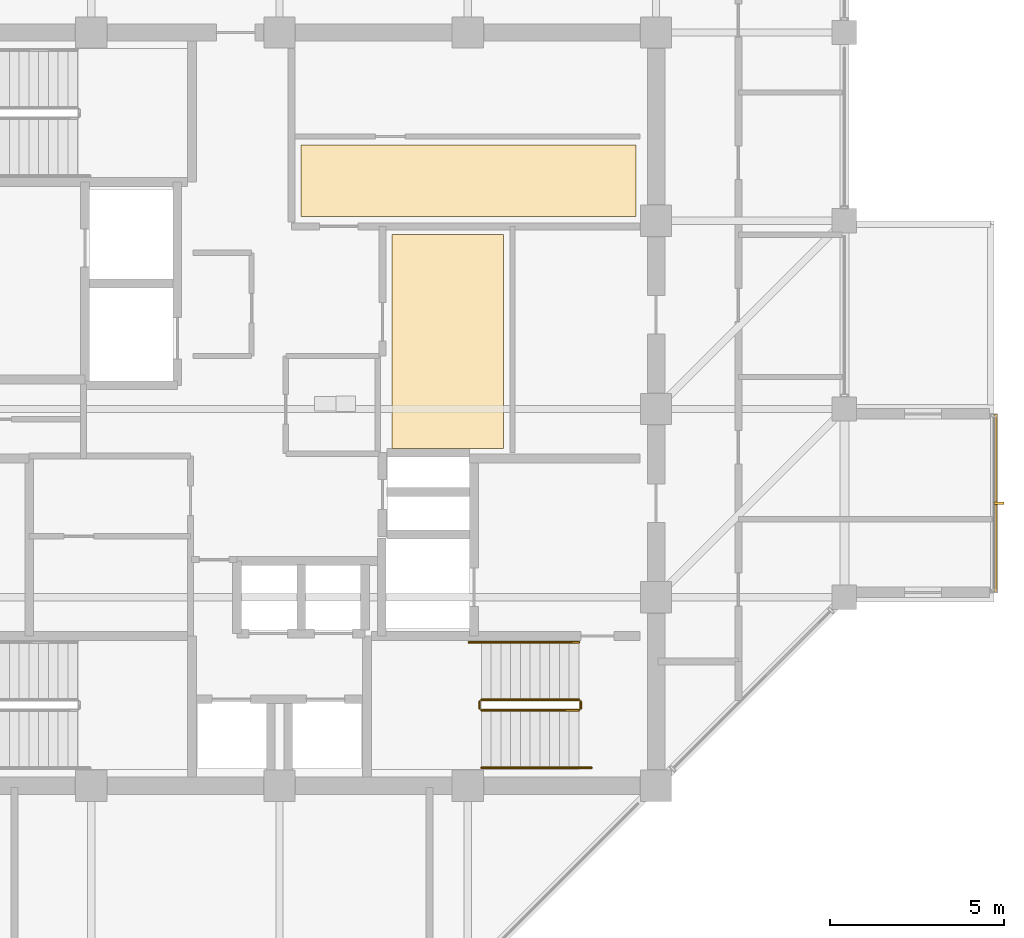
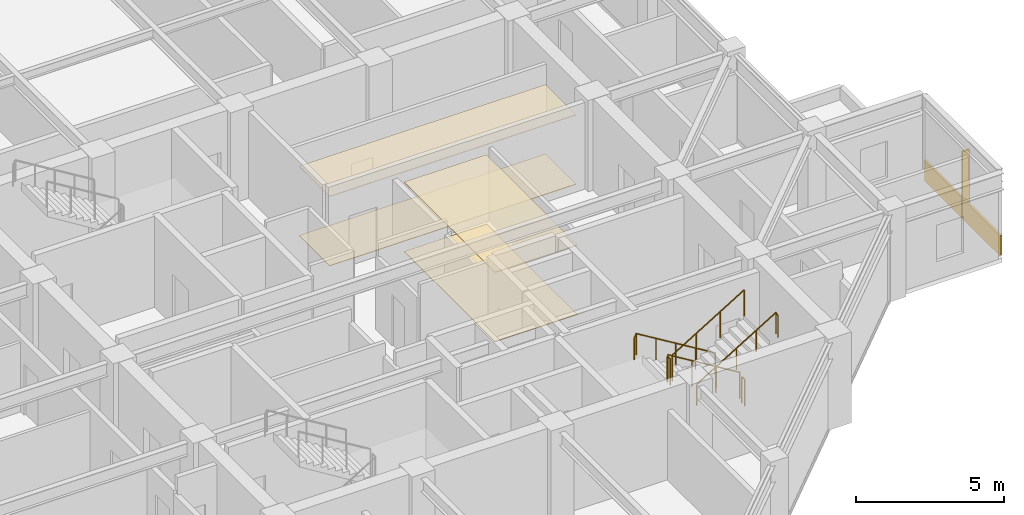
# One storey, part 30 of 31: 6 railings, 5 coverings, 1 shading device.
"""IFC4 building model written with IfcOpenShell, lengths in metres."""

from ifc_helpers import new_model, si_unit, direction, frame, origin, origin_2d, place, context, subcontext, project, spatial, polyline, rectangle, circle, outline, extrude, material, layer, layer_set, type_object, element, save


model = new_model("IFC4")

# Units and contexts
model_context = context("Model", 3, precision=1e-05, world=origin(), true_north=direction((0.0, 1.0)))
body_context = subcontext(model_context, "Body", "Model", "MODEL_VIEW")
ifc_project = project(units=[si_unit("LENGTHUNIT", "METRE"), si_unit("AREAUNIT", "SQUARE_METRE"), si_unit("VOLUMEUNIT", "CUBIC_METRE"), si_unit("PLANEANGLEUNIT", "RADIAN"), si_unit("MASSUNIT", "GRAM", prefix="KILO")], contexts=[model_context])

# Site, building, storey
site_placement = place(None, origin())
site = spatial("IfcSite", under=ifc_project, at=site_placement, CompositionType="ELEMENT")
building_placement = place(site_placement, origin())
building = spatial("IfcBuilding", under=site, at=building_placement, Name="Surkhivell Harbour Commons", CompositionType="ELEMENT")
storey_placement = place(building_placement, frame((0.0, 0.0, 315.0)))
storey = spatial("IfcBuildingStorey", under=building, at=storey_placement, Name="L82", CompositionType="ELEMENT", Elevation=315.0)

# Coverings
ifc_material_1 = material(Name="Perforated acoustic mineral-fibre ceiling tile", Category="other")
ifc_layer_1 = layer(ifc_material_1, 0.02490234375)
ifc_layer_set_1 = layer_set([ifc_layer_1], Name="Perforated acoustic mineral-fibre ceiling tile")
covering_type_1 = type_object("IfcCoveringType", Name="COV-CEIL-AC", PredefinedType="CEILING", material=ifc_layer_set_1)
covering_1_placement = place(storey_placement, frame((0.0, 0.0, 2.85205078125)))
element("IfcCovering", 1, at=covering_1_placement, inside=storey, type_object=covering_type_1, Name="L82 Suspended Acoustic Ceiling 1", PredefinedType="CEILING", context=body_context, shape_type="SweptSolid", body=[
    extrude(outline(polyline([(0.6201171875, 5.52001953125), (10.219970703125, 5.52001953125), (10.219970703125, 7.580078125), (0.6201171875, 7.580078125), (0.6201171875, 5.52001953125)])), origin(), (0.0, 0.0, 1.0), 0.02490234375),
])
ifc_material_2 = material(Name="Moisture-resistant gypsum acoustic ceiling board", Category="other")
ifc_layer_2 = layer(ifc_material_2, 0.030029296875)
ifc_layer_set_2 = layer_set([ifc_layer_2], Name="Moisture-resistant gypsum acoustic ceiling board")
covering_type_2 = type_object("IfcCoveringType", Name="COV-CEIL-GYP", PredefinedType="CEILING", material=ifc_layer_set_2)
covering_2_placement = place(storey_placement, frame((0.0, 0.0, 2.846923828125)))
element("IfcCovering", 2, at=covering_2_placement, inside=storey, type_object=covering_type_2, Name="L82 Suspended Acoustic Ceiling 2", PredefinedType="CEILING", context=body_context, shape_type="SweptSolid", body=[
    extrude(outline(polyline([(3.219970703125, -1.1298828125), (6.429931640625, -1.1298828125), (6.429931640625, 5.0), (3.219970703125, 5.0), (3.219970703125, -1.1298828125)])), origin(), (0.0, 0.0, 1.0), 0.030029296875),
])
ifc_material_3 = material(Name="Cobalt-azure enamelled aluminium cassette panel", Category="aluminium")
ifc_layer_3 = layer(ifc_material_3, 0.072021484375)
ifc_layer_set_3 = layer_set([ifc_layer_3], Name="Cobalt-azure enamelled aluminium cassette panel")
covering_type_3 = type_object("IfcCoveringType", Name="COV-CLAD-COB", PredefinedType="CLADDING", material=ifc_layer_set_3)
covering_3_placement = place(storey_placement, frame((20.5400390625, -2.699951171875, 0.0), z_axis=(0.0, 0.0, 1.0), x_axis=(1.0, 0.0, 0.0)))
element("IfcCovering", 3, at=covering_3_placement, inside=storey, type_object=covering_type_3, Name="L82 Coloured-Panel Box Spandrel Cassette 01", PredefinedType="CLADDING", context=body_context, shape_type="SweptSolid", body=[
    extrude(rectangle(XDim=0.080078125, YDim=5.10009765625, at=origin_2d()), origin(), (0.0, 0.0, 1.0), 0.840087890625),
])
ifc_material_4 = material(Name="Engineered acoustic oak timber flooring", Category="wood")
ifc_layer_4 = layer(ifc_material_4, 0.02001953125)
ifc_layer_set_4 = layer_set([ifc_layer_4], Name="Engineered acoustic oak timber flooring")
covering_type_4 = type_object("IfcCoveringType", Name="COV-FLR-TIM", PredefinedType="FLOORING", material=ifc_layer_set_4)
covering_4_placement = place(storey_placement, origin())
element("IfcCovering", 4, at=covering_4_placement, inside=storey, type_object=covering_type_4, Name="L82 Interior Floor Finish 1", PredefinedType="FLOORING", context=body_context, shape_type="SweptSolid", body=[
    extrude(outline(polyline([(0.6201171875, 5.52001953125), (10.219970703125, 5.52001953125), (10.219970703125, 7.580078125), (0.6201171875, 7.580078125), (0.6201171875, 5.52001953125)])), origin(), (0.0, 0.0, 1.0), 0.02001953125),
])
covering_5_placement = place(storey_placement, origin())
element("IfcCovering", 5, at=covering_5_placement, inside=storey, type_object=covering_type_4, Name="L82 Interior Floor Finish 2", PredefinedType="FLOORING", context=body_context, shape_type="SweptSolid", body=[
    extrude(outline(polyline([(3.219970703125, -1.1298828125), (6.429931640625, -1.1298828125), (6.429931640625, 5.0), (3.219970703125, 5.0), (3.219970703125, -1.1298828125)])), origin(), (0.0, 0.0, 1.0), 0.02001953125),
])

# Railings
ifc_material_5 = material(Name="Galvanised and painted steel S355 guard rail", Category="steel")
railing_type_1 = type_object("IfcRailingType", Name="RAL-ST-GRD1100", PredefinedType="GUARDRAIL", material=ifc_material_5)
railing_1_placement = place(storey_placement, frame((8.590087890625, -8.340087890625, 0.17041015625)))
element("IfcRailing", 6, at=railing_1_placement, inside=storey, type_object=railing_type_1, Name="L82 ST2 stair guard 1", PredefinedType="GUARDRAIL", context=body_context, shape_type="SweptSolid", body=[
    extrude(circle(Radius=0.02392578125, at=origin_2d()), frame((0.0, 0.0, 1.076171875), z_axis=(-0.854169791009, 0.0, 0.51999420009), x_axis=(0.0, -1.0, 0.0)), (0.0, 0.0, 1.0), 3.278076171875),
    extrude(circle(Radius=0.02099609375, at=origin_2d()), origin(), (0.0, 0.0, 1.0), 1.052001953125),
    extrude(circle(Radius=0.02099609375, at=origin_2d()), frame((-0.933349609375, 0.0, 0.568115234375)), (0.0, 0.0, 1.0), 1.052001953125),
    extrude(circle(Radius=0.02099609375, at=origin_2d()), frame((-1.86669921875, 0.0, 1.136474609375)), (0.0, 0.0, 1.0), 1.052001953125),
    extrude(circle(Radius=0.02099609375, at=origin_2d()), frame((-2.800048828125, 0.0, 1.70458984375)), (0.0, 0.0, 1.0), 1.052001953125),
])
railing_2_placement = place(storey_placement, frame((5.739990234375, -8.389892578125, 1.875)))
element("IfcRailing", 7, at=railing_2_placement, inside=storey, type_object=railing_type_1, Name="L82 ST2 stair guard 2", PredefinedType="GUARDRAIL", context=body_context, shape_type="SweptSolid", body=[
    extrude(circle(Radius=0.02392578125, at=origin_2d()), frame((0.0, 0.0, 1.076171875), z_axis=(0.0, -1.0, 0.0), x_axis=(1.0, 0.0, 0.0)), (0.0, 0.0, 1.0), 0.2001953125),
    extrude(circle(Radius=0.02099609375, at=origin_2d()), origin(), (0.0, 0.0, 1.0), 1.052001953125),
    extrude(circle(Radius=0.02099609375, at=origin_2d()), frame((0.0, -0.2001953125, 0.0)), (0.0, 0.0, 1.0), 1.052001953125),
])
railing_3_placement = place(storey_placement, frame((5.7900390625, -8.639892578125, 2.04541015625)))
element("IfcRailing", 8, at=railing_3_placement, inside=storey, type_object=railing_type_1, Name="L82 ST2 stair guard 3", PredefinedType="GUARDRAIL", context=body_context, shape_type="SweptSolid", body=[
    extrude(circle(Radius=0.02392578125, at=origin_2d()), frame((0.0, 0.0, 1.076171875), z_axis=(0.854169791009, 0.0, 0.51999420009), x_axis=(0.0, 1.0, 0.0)), (0.0, 0.0, 1.0), 3.278076171875),
    extrude(circle(Radius=0.02099609375, at=origin_2d()), origin(), (0.0, 0.0, 1.0), 1.052001953125),
    extrude(circle(Radius=0.02099609375, at=origin_2d()), frame((0.933349609375, 0.0, 0.568115234375)), (0.0, 0.0, 1.0), 1.052001953125),
    extrude(circle(Radius=0.02099609375, at=origin_2d()), frame((1.86669921875, 0.0, 1.136474609375)), (0.0, 0.0, 1.0), 1.052001953125),
    extrude(circle(Radius=0.02099609375, at=origin_2d()), frame((2.800048828125, 0.0, 1.70458984375)), (0.0, 0.0, 1.0), 1.052001953125),
])
railing_4_placement = place(storey_placement, frame((8.639892578125, -8.389892578125, 0.0)))
element("IfcRailing", 9, at=railing_4_placement, inside=storey, type_object=railing_type_1, Name="L82 ST2 stair guard 4", PredefinedType="GUARDRAIL", context=body_context, shape_type="SweptSolid", body=[
    extrude(circle(Radius=0.02392578125, at=origin_2d()), frame((0.0, 0.0, 1.076171875), z_axis=(0.0, -1.0, 0.0), x_axis=(1.0, 0.0, 0.0)), (0.0, 0.0, 1.0), 0.2001953125),
    extrude(circle(Radius=0.02099609375, at=origin_2d()), origin(), (0.0, 0.0, 1.0), 1.052001953125),
    extrude(circle(Radius=0.02099609375, at=origin_2d()), frame((0.0, -0.2001953125, 0.0)), (0.0, 0.0, 1.0), 1.052001953125),
])
ifc_material_6 = material(Name="Brushed stainless steel S355 handrail", Category="steel")
railing_type_2 = type_object("IfcRailingType", Name="RAL-ST-HND900", PredefinedType="HANDRAIL", material=ifc_material_6)
railing_5_placement = place(storey_placement, frame((8.590087890625, -6.68994140625, 0.17041015625)))
element("IfcRailing", 10, at=railing_5_placement, inside=storey, type_object=railing_type_2, Name="L82 ST2 stair handrail 1", PredefinedType="HANDRAIL", context=body_context, shape_type="SweptSolid", body=[
    extrude(circle(Radius=0.02392578125, at=origin_2d()), frame((0.0, 0.0, 0.8759765625), z_axis=(-0.854177636135, 0.0, 0.519981313056), x_axis=(0.0, -1.0, 0.0)), (0.0, 0.0, 1.0), 3.60595703125),
    extrude(circle(Radius=0.02392578125, at=origin_2d()), frame((-3.080078125, 0.0, 2.7509765625), z_axis=(-0.425297416671, 0.0, -0.905053648892), x_axis=(0.0, -1.0, 0.0)), (0.0, 0.0, 1.0), 0.188232421875),
    extrude(circle(Radius=0.02099609375, at=origin_2d()), origin(), (0.0, 0.0, 1.0), 0.851806640625),
    extrude(circle(Radius=0.02099609375, at=origin_2d()), frame((-0.77001953125, 0.0, 0.46875)), (0.0, 0.0, 1.0), 0.851806640625),
    extrude(circle(Radius=0.02099609375, at=origin_2d()), frame((-1.5400390625, 0.0, 0.9375)), (0.0, 0.0, 1.0), 0.851806640625),
    extrude(circle(Radius=0.02099609375, at=origin_2d()), frame((-2.31005859375, 0.0, 1.40625)), (0.0, 0.0, 1.0), 0.851806640625),
    extrude(circle(Radius=0.02099609375, at=origin_2d()), frame((-3.080078125, 0.0, 1.875)), (0.0, 0.0, 1.0), 0.851806640625),
    extrude(circle(Radius=0.02099609375, at=origin_2d()), frame((-3.16015625, 0.0, 1.70458984375)), (0.0, 0.0, 1.0), 0.851806640625),
])
railing_6_placement = place(storey_placement, frame((5.7900390625, -10.2900390625, 2.04541015625)))
element("IfcRailing", 11, at=railing_6_placement, inside=storey, type_object=railing_type_2, Name="L82 ST2 stair handrail 2", PredefinedType="HANDRAIL", context=body_context, shape_type="SweptSolid", body=[
    extrude(circle(Radius=0.02392578125, at=origin_2d()), frame((0.0, 0.0, 0.8759765625), z_axis=(0.854177636135, 0.0, 0.519981313056), x_axis=(0.0, 1.0, 0.0)), (0.0, 0.0, 1.0), 3.60595703125),
    extrude(circle(Radius=0.02392578125, at=origin_2d()), frame((3.080078125, 0.0, 2.7509765625), z_axis=(0.424234432967, 0.0, -0.905552398199), x_axis=(0.0, 1.0, 0.0)), (0.0, 0.0, 1.0), 0.188232421875),
    extrude(circle(Radius=0.02099609375, at=origin_2d()), origin(), (0.0, 0.0, 1.0), 0.851806640625),
    extrude(circle(Radius=0.02099609375, at=origin_2d()), frame((0.77001953125, 0.0, 0.46875)), (0.0, 0.0, 1.0), 0.851806640625),
    extrude(circle(Radius=0.02099609375, at=origin_2d()), frame((1.5400390625, 0.0, 0.9375)), (0.0, 0.0, 1.0), 0.851806640625),
    extrude(circle(Radius=0.02099609375, at=origin_2d()), frame((2.31005859375, 0.0, 1.40625)), (0.0, 0.0, 1.0), 0.851806640625),
    extrude(circle(Radius=0.02099609375, at=origin_2d()), frame((3.080078125, 0.0, 1.875)), (0.0, 0.0, 1.0), 0.851806640625),
    extrude(circle(Radius=0.02099609375, at=origin_2d()), frame((3.159912109375, 0.0, 1.70458984375)), (0.0, 0.0, 1.0), 0.851806640625),
])

# Shading device
ifc_material_7 = material(Name="Champagne anodised aluminium solar fin", Category="aluminium")
shading_device_type = type_object("IfcShadingDeviceType", Name="SHD-FIN-SLIM", PredefinedType="USERDEFINED", material=ifc_material_7)
shading_device_placement = place(storey_placement, frame((20.639892578125, -2.699951171875, 0.0048828125), z_axis=(0.0, 0.0, 1.0), x_axis=(1.0, 0.0, 0.0)))
element("IfcShadingDevice", 12, at=shading_device_placement, inside=storey, type_object=shading_device_type, Name="L82 Coloured-Box Solar Fin 01", ObjectType="FIN", PredefinedType="USERDEFINED", context=body_context, shape_type="SweptSolid", body=[
    extrude(rectangle(XDim=0.280029296875, YDim=0.080078125, at=origin_2d()), origin(), (0.0, 0.0, 1.0), 2.75),
])

save(model, "model.ifc")
